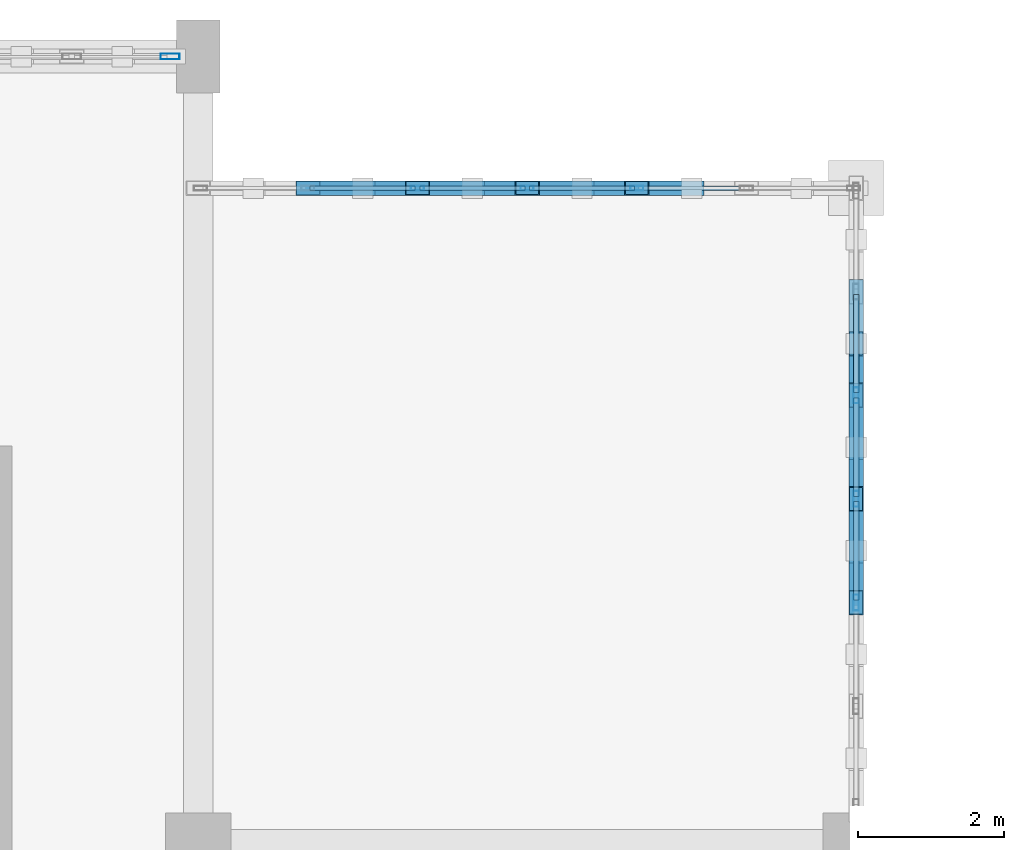
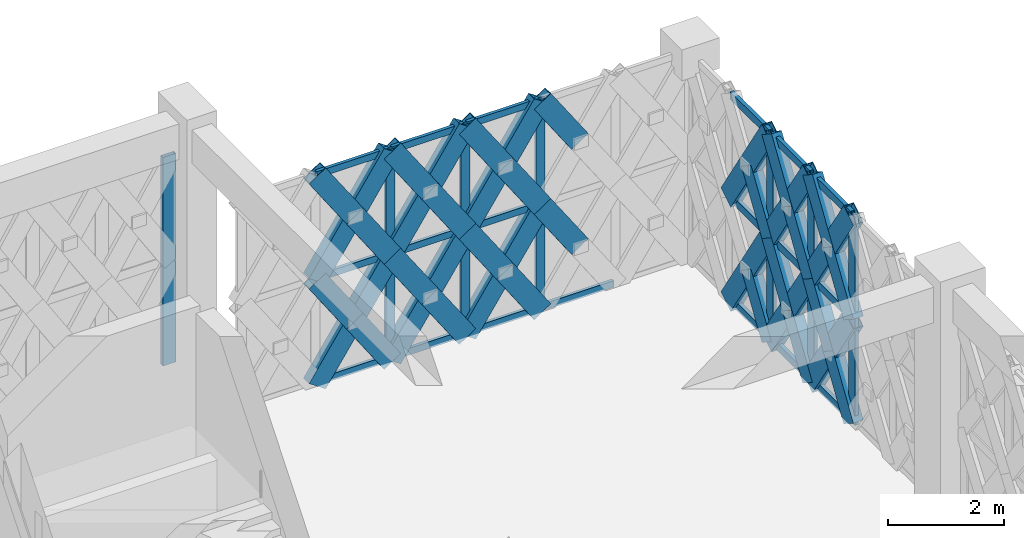
# One storey, part 93 of 155: 62 members, 3 elements without a shape of their own.
"""IFC4 building model written with IfcOpenShell, lengths in metres."""

from ifc_helpers import new_model, si_unit, direction, frame, origin, origin_2d, place, context, subcontext, project, spatial, hollow_rectangle, extrude, material, material_profile, profile_set, type_object, element, aggregate, save


model = new_model("IFC4")

# Units and contexts
model_context = context("Model", 3, precision=1e-05, world=origin(), true_north=direction((0.0, 1.0)))
body_context = subcontext(model_context, "Body", "Model", "MODEL_VIEW")
ifc_project = project(units=[si_unit("LENGTHUNIT", "METRE"), si_unit("AREAUNIT", "SQUARE_METRE"), si_unit("VOLUMEUNIT", "CUBIC_METRE"), si_unit("PLANEANGLEUNIT", "RADIAN"), si_unit("MASSUNIT", "GRAM", prefix="KILO")], contexts=[model_context])

# Site, building, storey
site_placement = place(None, origin())
site = spatial("IfcSite", under=ifc_project, at=site_placement, CompositionType="ELEMENT")
building_placement = place(site_placement, origin())
building = spatial("IfcBuilding", under=site, at=building_placement, Name="Haizhuo Lancet Aquarium", CompositionType="ELEMENT")
storey_placement = place(building_placement, frame((0.0, 0.0, 10.800048828125)))
storey = spatial("IfcBuildingStorey", under=building, at=storey_placement, Name="L02", CompositionType="ELEMENT", Elevation=10.800048828125)

# Curtain wall, members
ifc_material_1 = material(Name="Aluminium 6063-T6", Category="aluminium")
curtain_wall_type_1 = type_object("IfcCurtainWallType", Name="CWD-9000x4440", PredefinedType="NOTDEFINED", material=ifc_material_1)
curtain_wall_1_placement = place(storey_placement, origin())
curtain_wall_1 = element("IfcCurtainWall", 1, at=curtain_wall_1_placement, inside=storey, type_object=curtain_wall_type_1, Name="L02 curtain wall CW-V5-L02-151", PredefinedType="NOTDEFINED")
ifc_material_profile_1 = material_profile(ifc_material_1, hollow_rectangle(XDim=0.06494140625, YDim=0.179931640625, WallThickness=0.00390625, at=origin_2d()), Name="ALU-M 65x180x4")
ifc_profile_set_1 = profile_set([ifc_material_profile_1], Name="Aluminium 6063-T6")
member_type_1 = type_object("IfcMemberType", Name="CW-MUL-1", PredefinedType="MULLION", material=ifc_profile_set_1)
member_1_placement = place(storey_placement, frame((21.0, 54.0, 0.0), z_axis=(0.0, 0.0, 1.0), x_axis=(0.0, 1.0, 0.0)))
member_1 = element("IfcMember", 2, at=member_1_placement, type_object=member_type_1, Name="CWD-90x44 mullion 3", PredefinedType="MULLION", context=body_context, shape_type="SweptSolid", body=[
    extrude(hollow_rectangle(XDim=0.06494140625, YDim=0.179931640625, WallThickness=0.00390625, at=origin_2d()), origin(), (0.0, 0.0, 1.0), 4.445068359375),
])
member_2_placement = place(storey_placement, frame((22.5, 54.0, 0.0), z_axis=(0.0, 0.0, 1.0), x_axis=(0.0, 1.0, 0.0)))
member_2 = element("IfcMember", 3, at=member_2_placement, type_object=member_type_1, Name="CWD-90x44 mullion 4", PredefinedType="MULLION", context=body_context, shape_type="SweptSolid", body=[
    extrude(hollow_rectangle(XDim=0.06494140625, YDim=0.179931640625, WallThickness=0.00390625, at=origin_2d()), origin(), (0.0, 0.0, 1.0), 4.445068359375),
])
member_3_placement = place(storey_placement, frame((24.0, 54.0, 0.0), z_axis=(0.0, 0.0, 1.0), x_axis=(0.0, 1.0, 0.0)))
member_3 = element("IfcMember", 4, at=member_3_placement, type_object=member_type_1, Name="CWD-90x44 mullion 5", PredefinedType="MULLION", context=body_context, shape_type="SweptSolid", body=[
    extrude(hollow_rectangle(XDim=0.06494140625, YDim=0.179931640625, WallThickness=0.00390625, at=origin_2d()), origin(), (0.0, 0.0, 1.0), 4.445068359375),
])

curtain_wall_type_2 = type_object("IfcCurtainWallType", Name="CWD-8510x4390", PredefinedType="NOTDEFINED", material=ifc_material_1)
curtain_wall_2_placement = place(storey_placement, origin())
curtain_wall_2 = element("IfcCurtainWall", 5, at=curtain_wall_2_placement, inside=storey, type_object=curtain_wall_type_2, Name="L02 curtain wall CW-V5-L02-152", PredefinedType="NOTDEFINED")
ifc_material_profile_2 = material_profile(ifc_material_1, hollow_rectangle(XDim=0.074951171875, YDim=0.219970703125, WallThickness=0.0048828125, at=origin_2d()), Name="ALU-M 75x220x5")
ifc_profile_set_2 = profile_set([ifc_material_profile_2], Name="Aluminium 6063-T6")
member_type_2 = type_object("IfcMemberType", Name="CW-MUL-2", PredefinedType="MULLION", material=ifc_profile_set_2)
member_4_placement = place(storey_placement, frame((27.0, 51.1650390625, 0.0), z_axis=(0.0, 0.0, 1.0), x_axis=(1.0, 0.0, 0.0)))
member_4 = element("IfcMember", 6, at=member_4_placement, type_object=member_type_2, Name="CWD-85x43 mullion 3", PredefinedType="MULLION", context=body_context, shape_type="SweptSolid", body=[
    extrude(hollow_rectangle(XDim=0.074951171875, YDim=0.219970703125, WallThickness=0.0048828125, at=origin_2d()), origin(), (0.0, 0.0, 1.0), 4.39501953125),
])
member_5_placement = place(storey_placement, frame((27.0, 49.748046875, 0.0), z_axis=(0.0, 0.0, 1.0), x_axis=(1.0, 0.0, 0.0)))
member_5 = element("IfcMember", 7, at=member_5_placement, type_object=member_type_2, Name="CWD-85x43 mullion 4", PredefinedType="MULLION", context=body_context, shape_type="SweptSolid", body=[
    extrude(hollow_rectangle(XDim=0.074951171875, YDim=0.219970703125, WallThickness=0.0048828125, at=origin_2d()), origin(), (0.0, 0.0, 1.0), 4.39501953125),
])
member_6_placement = place(storey_placement, frame((27.0, 48.330078125, 0.0), z_axis=(0.0, 0.0, 1.0), x_axis=(1.0, 0.0, 0.0)))
member_6 = element("IfcMember", 8, at=member_6_placement, type_object=member_type_2, Name="CWD-85x43 mullion 5", PredefinedType="MULLION", context=body_context, shape_type="SweptSolid", body=[
    extrude(hollow_rectangle(XDim=0.074951171875, YDim=0.219970703125, WallThickness=0.0048828125, at=origin_2d()), origin(), (0.0, 0.0, 1.0), 4.39501953125),
])

# Curtain wall, member
curtain_wall_type_3 = type_object("IfcCurtainWallType", Name="CWD-8310x4410", PredefinedType="NOTDEFINED", material=ifc_material_1)
curtain_wall_3_placement = place(storey_placement, origin())
curtain_wall_3 = element("IfcCurtainWall", 9, at=curtain_wall_3_placement, inside=storey, type_object=curtain_wall_type_3, Name="L02 curtain wall CW-V5-L02-150", PredefinedType="NOTDEFINED")
ifc_material_profile_3 = material_profile(ifc_material_1, hollow_rectangle(XDim=0.080078125, YDim=0.260009765625, WallThickness=0.0048828125, at=origin_2d()), Name="ALU-M 80x260x5")
ifc_profile_set_3 = profile_set([ifc_material_profile_3], Name="Aluminium 6063-T6")
member_type_3 = type_object("IfcMemberType", Name="CW-MUL-3", PredefinedType="MULLION", material=ifc_profile_set_3)
member_7_placement = place(storey_placement, frame((17.614990234375, 55.800048828125, 0.0), z_axis=(0.0, 0.0, 1.0), x_axis=(0.0, 1.0, 0.0)))
member_7 = element("IfcMember", 10, at=member_7_placement, type_object=member_type_3, Name="CWD-83x44 mullion 7", PredefinedType="MULLION", context=body_context, shape_type="SweptSolid", body=[
    extrude(hollow_rectangle(XDim=0.080078125, YDim=0.260009765625, WallThickness=0.0048828125, at=origin_2d()), origin(), (0.0, 0.0, 1.0), 4.409912109375),
])
aggregate(curtain_wall_3, [member_7])

# Member
ifc_material_profile_4 = material_profile(ifc_material_1, hollow_rectangle(XDim=0.06494140625, YDim=0.139892578125, WallThickness=0.00390625, at=origin_2d()), Name="ALU-T 65x140x4")
ifc_profile_set_4 = profile_set([ifc_material_profile_4], Name="Aluminium 6063-T6")
member_type_4 = type_object("IfcMemberType", Name="CW-TRN-1", PredefinedType="NOTDEFINED", material=ifc_profile_set_4)
member_8_placement = place(storey_placement, frame((19.531982421875, 54.0, 0.032958984375), z_axis=(1.0, 0.0, 0.0), x_axis=(0.0, 1.0, 0.0)))
member_8 = element("IfcMember", 11, at=member_8_placement, type_object=member_type_4, Name="CWD-90x44 transom 2.1", ObjectType="TRANSOM", PredefinedType="USERDEFINED", context=body_context, shape_type="SweptSolid", body=[
    extrude(hollow_rectangle(XDim=0.06494140625, YDim=0.139892578125, WallThickness=0.00390625, at=origin_2d()), origin(), (0.0, 0.0, 1.0), 1.43603515625),
])

member_9_placement = place(storey_placement, frame((19.531982421875, 54.0, 2.222900390625), z_axis=(1.0, 0.0, 0.0), x_axis=(0.0, 1.0, 0.0)))
member_9 = element("IfcMember", 12, at=member_9_placement, type_object=member_type_4, Name="CWD-90x44 transom 2.2", ObjectType="TRANSOM", PredefinedType="USERDEFINED", context=body_context, shape_type="SweptSolid", body=[
    extrude(hollow_rectangle(XDim=0.06494140625, YDim=0.139892578125, WallThickness=0.00390625, at=origin_2d()), origin(), (0.0, 0.0, 1.0), 1.43603515625),
])

member_10_placement = place(storey_placement, frame((19.531982421875, 54.0, 4.411865234375), z_axis=(1.0, 0.0, 0.0), x_axis=(0.0, 1.0, 0.0)))
member_10 = element("IfcMember", 13, at=member_10_placement, type_object=member_type_4, Name="CWD-90x44 transom 2.3", ObjectType="TRANSOM", PredefinedType="USERDEFINED", context=body_context, shape_type="SweptSolid", body=[
    extrude(hollow_rectangle(XDim=0.06494140625, YDim=0.139892578125, WallThickness=0.00390625, at=origin_2d()), origin(), (0.0, 0.0, 1.0), 1.43603515625),
])

member_11_placement = place(storey_placement, frame((21.031982421875, 54.0, 0.032958984375), z_axis=(1.0, 0.0, 0.0), x_axis=(0.0, 1.0, 0.0)))
member_11 = element("IfcMember", 14, at=member_11_placement, type_object=member_type_4, Name="CWD-90x44 transom 3.1", ObjectType="TRANSOM", PredefinedType="USERDEFINED", context=body_context, shape_type="SweptSolid", body=[
    extrude(hollow_rectangle(XDim=0.06494140625, YDim=0.139892578125, WallThickness=0.00390625, at=origin_2d()), origin(), (0.0, 0.0, 1.0), 1.43603515625),
])

member_12_placement = place(storey_placement, frame((21.031982421875, 54.0, 2.222900390625), z_axis=(1.0, 0.0, 0.0), x_axis=(0.0, 1.0, 0.0)))
member_12 = element("IfcMember", 15, at=member_12_placement, type_object=member_type_4, Name="CWD-90x44 transom 3.2", ObjectType="TRANSOM", PredefinedType="USERDEFINED", context=body_context, shape_type="SweptSolid", body=[
    extrude(hollow_rectangle(XDim=0.06494140625, YDim=0.139892578125, WallThickness=0.00390625, at=origin_2d()), origin(), (0.0, 0.0, 1.0), 1.43603515625),
])

member_13_placement = place(storey_placement, frame((21.031982421875, 54.0, 4.411865234375), z_axis=(1.0, 0.0, 0.0), x_axis=(0.0, 1.0, 0.0)))
member_13 = element("IfcMember", 16, at=member_13_placement, type_object=member_type_4, Name="CWD-90x44 transom 3.3", ObjectType="TRANSOM", PredefinedType="USERDEFINED", context=body_context, shape_type="SweptSolid", body=[
    extrude(hollow_rectangle(XDim=0.06494140625, YDim=0.139892578125, WallThickness=0.00390625, at=origin_2d()), origin(), (0.0, 0.0, 1.0), 1.43603515625),
])

member_14_placement = place(storey_placement, frame((22.531982421875, 54.0, 0.032958984375), z_axis=(1.0, 0.0, 0.0), x_axis=(0.0, 1.0, 0.0)))
member_14 = element("IfcMember", 17, at=member_14_placement, type_object=member_type_4, Name="CWD-90x44 transom 4.1", ObjectType="TRANSOM", PredefinedType="USERDEFINED", context=body_context, shape_type="SweptSolid", body=[
    extrude(hollow_rectangle(XDim=0.06494140625, YDim=0.139892578125, WallThickness=0.00390625, at=origin_2d()), origin(), (0.0, 0.0, 1.0), 1.43603515625),
])

member_15_placement = place(storey_placement, frame((22.531982421875, 54.0, 2.222900390625), z_axis=(1.0, 0.0, 0.0), x_axis=(0.0, 1.0, 0.0)))
member_15 = element("IfcMember", 18, at=member_15_placement, type_object=member_type_4, Name="CWD-90x44 transom 4.2", ObjectType="TRANSOM", PredefinedType="USERDEFINED", context=body_context, shape_type="SweptSolid", body=[
    extrude(hollow_rectangle(XDim=0.06494140625, YDim=0.139892578125, WallThickness=0.00390625, at=origin_2d()), origin(), (0.0, 0.0, 1.0), 1.43603515625),
])

member_16_placement = place(storey_placement, frame((22.531982421875, 54.0, 4.411865234375), z_axis=(1.0, 0.0, 0.0), x_axis=(0.0, 1.0, 0.0)))
member_16 = element("IfcMember", 19, at=member_16_placement, type_object=member_type_4, Name="CWD-90x44 transom 4.3", ObjectType="TRANSOM", PredefinedType="USERDEFINED", context=body_context, shape_type="SweptSolid", body=[
    extrude(hollow_rectangle(XDim=0.06494140625, YDim=0.139892578125, WallThickness=0.00390625, at=origin_2d()), origin(), (0.0, 0.0, 1.0), 1.43603515625),
])

member_17_placement = place(storey_placement, frame((24.031982421875, 54.0, 0.032958984375), z_axis=(1.0, 0.0, 0.0), x_axis=(0.0, 1.0, 0.0)))
member_17 = element("IfcMember", 20, at=member_17_placement, type_object=member_type_4, Name="CWD-90x44 transom 5.1", ObjectType="TRANSOM", PredefinedType="USERDEFINED", context=body_context, shape_type="SweptSolid", body=[
    extrude(hollow_rectangle(XDim=0.06494140625, YDim=0.139892578125, WallThickness=0.00390625, at=origin_2d()), origin(), (0.0, 0.0, 1.0), 1.43603515625),
])

aggregate(curtain_wall_1, [member_1, member_2, member_3, member_8, member_9, member_10, member_11, member_12, member_13, member_14, member_15, member_16, member_17])

ifc_material_profile_5 = material_profile(ifc_material_1, hollow_rectangle(XDim=0.074951171875, YDim=0.159912109375, WallThickness=0.00390625, at=origin_2d()), Name="ALU-T 75x160x4")
ifc_profile_set_5 = profile_set([ifc_material_profile_5], Name="Aluminium 6063-T6")
member_type_5 = type_object("IfcMemberType", Name="CW-TRN-2", PredefinedType="NOTDEFINED", material=ifc_profile_set_5)
member_18_placement = place(storey_placement, frame((27.0, 52.544921875, 0.037841796875), z_axis=(0.0, -1.0, 0.0), x_axis=(1.0, 0.0, 0.0)))
member_18 = element("IfcMember", 21, at=member_18_placement, type_object=member_type_5, Name="CWD-85x43 transom 2.1", ObjectType="TRANSOM", PredefinedType="USERDEFINED", context=body_context, shape_type="SweptSolid", body=[
    extrude(hollow_rectangle(XDim=0.074951171875, YDim=0.159912109375, WallThickness=0.00390625, at=origin_2d()), origin(), (0.0, 0.0, 1.0), 1.342041015625),
])

member_19_placement = place(storey_placement, frame((27.0, 52.544921875, 2.197998046875), z_axis=(0.0, -1.0, 0.0), x_axis=(1.0, 0.0, 0.0)))
member_19 = element("IfcMember", 22, at=member_19_placement, type_object=member_type_5, Name="CWD-85x43 transom 2.2", ObjectType="TRANSOM", PredefinedType="USERDEFINED", context=body_context, shape_type="SweptSolid", body=[
    extrude(hollow_rectangle(XDim=0.074951171875, YDim=0.159912109375, WallThickness=0.00390625, at=origin_2d()), origin(), (0.0, 0.0, 1.0), 1.342041015625),
])

member_20_placement = place(storey_placement, frame((27.0, 52.544921875, 4.35791015625), z_axis=(0.0, -1.0, 0.0), x_axis=(1.0, 0.0, 0.0)))
member_20 = element("IfcMember", 23, at=member_20_placement, type_object=member_type_5, Name="CWD-85x43 transom 2.3", ObjectType="TRANSOM", PredefinedType="USERDEFINED", context=body_context, shape_type="SweptSolid", body=[
    extrude(hollow_rectangle(XDim=0.074951171875, YDim=0.159912109375, WallThickness=0.00390625, at=origin_2d()), origin(), (0.0, 0.0, 1.0), 1.342041015625),
])

member_21_placement = place(storey_placement, frame((27.0, 51.126953125, 0.037841796875), z_axis=(0.0, -1.0, 0.0), x_axis=(1.0, 0.0, 0.0)))
member_21 = element("IfcMember", 24, at=member_21_placement, type_object=member_type_5, Name="CWD-85x43 transom 3.1", ObjectType="TRANSOM", PredefinedType="USERDEFINED", context=body_context, shape_type="SweptSolid", body=[
    extrude(hollow_rectangle(XDim=0.074951171875, YDim=0.159912109375, WallThickness=0.00390625, at=origin_2d()), origin(), (0.0, 0.0, 1.0), 1.342041015625),
])

member_22_placement = place(storey_placement, frame((27.0, 51.126953125, 2.197998046875), z_axis=(0.0, -1.0, 0.0), x_axis=(1.0, 0.0, 0.0)))
member_22 = element("IfcMember", 25, at=member_22_placement, type_object=member_type_5, Name="CWD-85x43 transom 3.2", ObjectType="TRANSOM", PredefinedType="USERDEFINED", context=body_context, shape_type="SweptSolid", body=[
    extrude(hollow_rectangle(XDim=0.074951171875, YDim=0.159912109375, WallThickness=0.00390625, at=origin_2d()), origin(), (0.0, 0.0, 1.0), 1.342041015625),
])

member_23_placement = place(storey_placement, frame((27.0, 51.126953125, 4.35791015625), z_axis=(0.0, -1.0, 0.0), x_axis=(1.0, 0.0, 0.0)))
member_23 = element("IfcMember", 26, at=member_23_placement, type_object=member_type_5, Name="CWD-85x43 transom 3.3", ObjectType="TRANSOM", PredefinedType="USERDEFINED", context=body_context, shape_type="SweptSolid", body=[
    extrude(hollow_rectangle(XDim=0.074951171875, YDim=0.159912109375, WallThickness=0.00390625, at=origin_2d()), origin(), (0.0, 0.0, 1.0), 1.342041015625),
])

member_24_placement = place(storey_placement, frame((27.0, 49.7099609375, 0.037841796875), z_axis=(0.0, -1.0, 0.0), x_axis=(1.0, 0.0, 0.0)))
member_24 = element("IfcMember", 27, at=member_24_placement, type_object=member_type_5, Name="CWD-85x43 transom 4.1", ObjectType="TRANSOM", PredefinedType="USERDEFINED", context=body_context, shape_type="SweptSolid", body=[
    extrude(hollow_rectangle(XDim=0.074951171875, YDim=0.159912109375, WallThickness=0.00390625, at=origin_2d()), origin(), (0.0, 0.0, 1.0), 1.343017578125),
])

member_25_placement = place(storey_placement, frame((27.0, 49.7099609375, 2.197998046875), z_axis=(0.0, -1.0, 0.0), x_axis=(1.0, 0.0, 0.0)))
member_25 = element("IfcMember", 28, at=member_25_placement, type_object=member_type_5, Name="CWD-85x43 transom 4.2", ObjectType="TRANSOM", PredefinedType="USERDEFINED", context=body_context, shape_type="SweptSolid", body=[
    extrude(hollow_rectangle(XDim=0.074951171875, YDim=0.159912109375, WallThickness=0.00390625, at=origin_2d()), origin(), (0.0, 0.0, 1.0), 1.343017578125),
])

member_26_placement = place(storey_placement, frame((27.0, 49.7099609375, 4.35791015625), z_axis=(0.0, -1.0, 0.0), x_axis=(1.0, 0.0, 0.0)))
member_26 = element("IfcMember", 29, at=member_26_placement, type_object=member_type_5, Name="CWD-85x43 transom 4.3", ObjectType="TRANSOM", PredefinedType="USERDEFINED", context=body_context, shape_type="SweptSolid", body=[
    extrude(hollow_rectangle(XDim=0.074951171875, YDim=0.159912109375, WallThickness=0.00390625, at=origin_2d()), origin(), (0.0, 0.0, 1.0), 1.343017578125),
])

aggregate(curtain_wall_2, [member_4, member_5, member_6, member_18, member_19, member_20, member_21, member_22, member_23, member_24, member_25, member_26])

# Members
ifc_material_2 = material(Name="Steel S355", Category="steel")
ifc_material_profile_6 = material_profile(ifc_material_2, hollow_rectangle(XDim=0.199951171875, YDim=0.39990234375, WallThickness=0.011962890625, at=origin_2d()), Name="RHS 200x400x12")
ifc_profile_set_6 = profile_set([ifc_material_profile_6], Name="Steel S355")
member_type_6 = type_object("IfcMemberType", Name="MEM-LB-RHS200x400", PredefinedType="BRACE", material=ifc_profile_set_6)
member_27_placement = place(storey_placement, frame((19.5, 54.0, 0.0), z_axis=(0.559355578967, 0.0, 0.828927823323), x_axis=(0.0, 1.0, 0.0)))
element("IfcMember", 30, at=member_27_placement, inside=storey, type_object=member_type_6, Name="Gothic lancet continuous diagonal brace CW-V5-L02-151 3A", PredefinedType="BRACE", context=body_context, shape_type="SweptSolid", body=[
    extrude(hollow_rectangle(XDim=0.199951171875, YDim=0.39990234375, WallThickness=0.011962890625, at=origin_2d()), origin(), (0.0, 0.0, 1.0), 2.681640625),
])
member_28_placement = place(storey_placement, frame((21.0, 54.0, 0.0), z_axis=(-0.559144577779, 0.0, 0.829070166596), x_axis=(0.0, -1.0, 0.0)))
element("IfcMember", 31, at=member_28_placement, inside=storey, type_object=member_type_6, Name="Gothic lancet split diagonal brace CW-V5-L02-151 3B1", PredefinedType="BRACE", context=body_context, shape_type="SweptSolid", body=[
    extrude(hollow_rectangle(XDim=0.199951171875, YDim=0.39990234375, WallThickness=0.011962890625, at=origin_2d()), origin(), (0.0, 0.0, 1.0), 1.34130859375),
])
member_29_placement = place(storey_placement, frame((20.25, 54.0, 1.112060546875), z_axis=(-0.559566703172, 0.0, 0.828785318826), x_axis=(0.0, -1.0, 0.0)))
element("IfcMember", 32, at=member_29_placement, inside=storey, type_object=member_type_6, Name="Gothic lancet split diagonal brace CW-V5-L02-151 3B2", PredefinedType="BRACE", context=body_context, shape_type="SweptSolid", body=[
    extrude(hollow_rectangle(XDim=0.199951171875, YDim=0.39990234375, WallThickness=0.011962890625, at=origin_2d()), origin(), (0.0, 0.0, 1.0), 1.34033203125),
])
member_30_placement = place(storey_placement, frame((19.5, 54.0, 2.222900390625), z_axis=(0.559482238724, 0.0, 0.828842339985), x_axis=(0.0, 1.0, 0.0)))
element("IfcMember", 33, at=member_30_placement, inside=storey, type_object=member_type_6, Name="Gothic lancet continuous diagonal brace CW-V5-L02-151 4A", PredefinedType="BRACE", context=body_context, shape_type="SweptSolid", body=[
    extrude(hollow_rectangle(XDim=0.199951171875, YDim=0.39990234375, WallThickness=0.011962890625, at=origin_2d()), origin(), (0.0, 0.0, 1.0), 2.68115234375),
])
for number, where, z_axis, x_axis, name in (
    (34, (21.0, 54.0, 2.222900390625), (-0.559482238724, 0.0, 0.828842339985), (0.0, -1.0, 0.0), "Gothic lancet split diagonal brace CW-V5-L02-151 4B1"),
    (35, (20.25, 54.0, 3.333984375), (-0.559482238724, 0.0, 0.828842339985), (0.0, -1.0, 0.0), "Gothic lancet split diagonal brace CW-V5-L02-151 4B2"),
):
    element("IfcMember", number, at=place(storey_placement, frame(where, z_axis=z_axis, x_axis=x_axis)), inside=storey, type_object=member_type_6, Name=name, PredefinedType="BRACE", context=body_context, shape_type="SweptSolid", body=[
        extrude(hollow_rectangle(XDim=0.199951171875, YDim=0.39990234375, WallThickness=0.011962890625, at=origin_2d()), origin(), (0.0, 0.0, 1.0), 1.340576171875),
    ])
member_31_placement = place(storey_placement, frame((21.0, 54.0, 0.0), z_axis=(0.559355578967, 0.0, 0.828927823323), x_axis=(0.0, 1.0, 0.0)))
element("IfcMember", 36, at=member_31_placement, inside=storey, type_object=member_type_6, Name="Gothic lancet continuous diagonal brace CW-V5-L02-151 5A", PredefinedType="BRACE", context=body_context, shape_type="SweptSolid", body=[
    extrude(hollow_rectangle(XDim=0.199951171875, YDim=0.39990234375, WallThickness=0.011962890625, at=origin_2d()), origin(), (0.0, 0.0, 1.0), 2.681640625),
])
member_32_placement = place(storey_placement, frame((22.5, 54.0, 0.0), z_axis=(-0.559144577779, 0.0, 0.829070166596), x_axis=(0.0, -1.0, 0.0)))
element("IfcMember", 37, at=member_32_placement, inside=storey, type_object=member_type_6, Name="Gothic lancet split diagonal brace CW-V5-L02-151 5B1", PredefinedType="BRACE", context=body_context, shape_type="SweptSolid", body=[
    extrude(hollow_rectangle(XDim=0.199951171875, YDim=0.39990234375, WallThickness=0.011962890625, at=origin_2d()), origin(), (0.0, 0.0, 1.0), 1.34130859375),
])
member_33_placement = place(storey_placement, frame((21.75, 54.0, 1.112060546875), z_axis=(-0.559566703172, 0.0, 0.828785318826), x_axis=(0.0, -1.0, 0.0)))
element("IfcMember", 38, at=member_33_placement, inside=storey, type_object=member_type_6, Name="Gothic lancet split diagonal brace CW-V5-L02-151 5B2", PredefinedType="BRACE", context=body_context, shape_type="SweptSolid", body=[
    extrude(hollow_rectangle(XDim=0.199951171875, YDim=0.39990234375, WallThickness=0.011962890625, at=origin_2d()), origin(), (0.0, 0.0, 1.0), 1.34033203125),
])
member_34_placement = place(storey_placement, frame((21.0, 54.0, 2.222900390625), z_axis=(0.559482238724, 0.0, 0.828842339985), x_axis=(0.0, 1.0, 0.0)))
element("IfcMember", 39, at=member_34_placement, inside=storey, type_object=member_type_6, Name="Gothic lancet continuous diagonal brace CW-V5-L02-151 6A", PredefinedType="BRACE", context=body_context, shape_type="SweptSolid", body=[
    extrude(hollow_rectangle(XDim=0.199951171875, YDim=0.39990234375, WallThickness=0.011962890625, at=origin_2d()), origin(), (0.0, 0.0, 1.0), 2.68115234375),
])
for number, where, z_axis, x_axis, name in (
    (40, (22.5, 54.0, 2.222900390625), (-0.559482238724, 0.0, 0.828842339985), (0.0, -1.0, 0.0), "Gothic lancet split diagonal brace CW-V5-L02-151 6B1"),
    (41, (21.75, 54.0, 3.333984375), (-0.559482238724, 0.0, 0.828842339985), (0.0, -1.0, 0.0), "Gothic lancet split diagonal brace CW-V5-L02-151 6B2"),
):
    element("IfcMember", number, at=place(storey_placement, frame(where, z_axis=z_axis, x_axis=x_axis)), inside=storey, type_object=member_type_6, Name=name, PredefinedType="BRACE", context=body_context, shape_type="SweptSolid", body=[
        extrude(hollow_rectangle(XDim=0.199951171875, YDim=0.39990234375, WallThickness=0.011962890625, at=origin_2d()), origin(), (0.0, 0.0, 1.0), 1.340576171875),
    ])
member_35_placement = place(storey_placement, frame((22.5, 54.0, 0.0), z_axis=(0.559355578967, 0.0, 0.828927823323), x_axis=(0.0, 1.0, 0.0)))
element("IfcMember", 42, at=member_35_placement, inside=storey, type_object=member_type_6, Name="Gothic lancet continuous diagonal brace CW-V5-L02-151 7A", PredefinedType="BRACE", context=body_context, shape_type="SweptSolid", body=[
    extrude(hollow_rectangle(XDim=0.199951171875, YDim=0.39990234375, WallThickness=0.011962890625, at=origin_2d()), origin(), (0.0, 0.0, 1.0), 2.681640625),
])
member_36_placement = place(storey_placement, frame((24.0, 54.0, 0.0), z_axis=(-0.559144577779, 0.0, 0.829070166596), x_axis=(0.0, -1.0, 0.0)))
element("IfcMember", 43, at=member_36_placement, inside=storey, type_object=member_type_6, Name="Gothic lancet split diagonal brace CW-V5-L02-151 7B1", PredefinedType="BRACE", context=body_context, shape_type="SweptSolid", body=[
    extrude(hollow_rectangle(XDim=0.199951171875, YDim=0.39990234375, WallThickness=0.011962890625, at=origin_2d()), origin(), (0.0, 0.0, 1.0), 1.34130859375),
])
member_37_placement = place(storey_placement, frame((23.25, 54.0, 1.112060546875), z_axis=(-0.559566703172, 0.0, 0.828785318826), x_axis=(0.0, -1.0, 0.0)))
element("IfcMember", 44, at=member_37_placement, inside=storey, type_object=member_type_6, Name="Gothic lancet split diagonal brace CW-V5-L02-151 7B2", PredefinedType="BRACE", context=body_context, shape_type="SweptSolid", body=[
    extrude(hollow_rectangle(XDim=0.199951171875, YDim=0.39990234375, WallThickness=0.011962890625, at=origin_2d()), origin(), (0.0, 0.0, 1.0), 1.34033203125),
])
member_38_placement = place(storey_placement, frame((22.5, 54.0, 2.222900390625), z_axis=(0.559482238724, 0.0, 0.828842339985), x_axis=(0.0, 1.0, 0.0)))
element("IfcMember", 45, at=member_38_placement, inside=storey, type_object=member_type_6, Name="Gothic lancet continuous diagonal brace CW-V5-L02-151 8A", PredefinedType="BRACE", context=body_context, shape_type="SweptSolid", body=[
    extrude(hollow_rectangle(XDim=0.199951171875, YDim=0.39990234375, WallThickness=0.011962890625, at=origin_2d()), origin(), (0.0, 0.0, 1.0), 2.68115234375),
])
for number, where, z_axis, x_axis, name in (
    (46, (24.0, 54.0, 2.222900390625), (-0.559482238724, 0.0, 0.828842339985), (0.0, -1.0, 0.0), "Gothic lancet split diagonal brace CW-V5-L02-151 8B1"),
    (47, (23.25, 54.0, 3.333984375), (-0.559482238724, 0.0, 0.828842339985), (0.0, -1.0, 0.0), "Gothic lancet split diagonal brace CW-V5-L02-151 8B2"),
):
    element("IfcMember", number, at=place(storey_placement, frame(where, z_axis=z_axis, x_axis=x_axis)), inside=storey, type_object=member_type_6, Name=name, PredefinedType="BRACE", context=body_context, shape_type="SweptSolid", body=[
        extrude(hollow_rectangle(XDim=0.199951171875, YDim=0.39990234375, WallThickness=0.011962890625, at=origin_2d()), origin(), (0.0, 0.0, 1.0), 1.340576171875),
    ])
member_39_placement = place(storey_placement, frame((24.75, 54.0, 1.112060546875), z_axis=(-0.559566703172, 0.0, 0.828785318826), x_axis=(0.0, -1.0, 0.0)))
element("IfcMember", 48, at=member_39_placement, inside=storey, type_object=member_type_6, Name="Gothic lancet split diagonal brace CW-V5-L02-151 9B2", PredefinedType="BRACE", context=body_context, shape_type="SweptSolid", body=[
    extrude(hollow_rectangle(XDim=0.199951171875, YDim=0.39990234375, WallThickness=0.011962890625, at=origin_2d()), origin(), (0.0, 0.0, 1.0), 1.34033203125),
])
member_40_placement = place(storey_placement, frame((24.75, 54.0, 3.333984375), z_axis=(-0.559482238724, 0.0, 0.828842339985), x_axis=(0.0, -1.0, 0.0)))
element("IfcMember", 49, at=member_40_placement, inside=storey, type_object=member_type_6, Name="Gothic lancet split diagonal brace CW-V5-L02-151 10B2", PredefinedType="BRACE", context=body_context, shape_type="SweptSolid", body=[
    extrude(hollow_rectangle(XDim=0.199951171875, YDim=0.39990234375, WallThickness=0.011962890625, at=origin_2d()), origin(), (0.0, 0.0, 1.0), 1.340576171875),
])
member_41_placement = place(storey_placement, frame((27.0, 52.58203125, 0.0), z_axis=(0.0, -0.541837647065, 0.840483173075), x_axis=(1.0, 0.0, 0.0)))
element("IfcMember", 50, at=member_41_placement, inside=storey, type_object=member_type_6, Name="Gothic lancet continuous diagonal brace CW-V5-L02-152 3A", PredefinedType="BRACE", context=body_context, shape_type="SweptSolid", body=[
    extrude(hollow_rectangle(XDim=0.199951171875, YDim=0.39990234375, WallThickness=0.011962890625, at=origin_2d()), origin(), (0.0, 0.0, 1.0), 2.615234375),
])
member_42_placement = place(storey_placement, frame((27.0, 51.1650390625, 0.0), z_axis=(0.0, 0.541616290016, 0.840625834952), x_axis=(-1.0, 0.0, 0.0)))
element("IfcMember", 51, at=member_42_placement, inside=storey, type_object=member_type_6, Name="Gothic lancet split diagonal brace CW-V5-L02-152 3B1", PredefinedType="BRACE", context=body_context, shape_type="SweptSolid", body=[
    extrude(hollow_rectangle(XDim=0.199951171875, YDim=0.39990234375, WallThickness=0.011962890625, at=origin_2d()), origin(), (0.0, 0.0, 1.0), 1.30712890625),
])
member_43_placement = place(storey_placement, frame((27.0, 52.58203125, 2.197998046875), z_axis=(0.0, -0.542007748489, 0.840373488741), x_axis=(1.0, 0.0, 0.0)))
element("IfcMember", 52, at=member_43_placement, inside=storey, type_object=member_type_6, Name="Gothic lancet continuous diagonal brace CW-V5-L02-152 4A", PredefinedType="BRACE", context=body_context, shape_type="SweptSolid", body=[
    extrude(hollow_rectangle(XDim=0.199951171875, YDim=0.39990234375, WallThickness=0.011962890625, at=origin_2d()), origin(), (0.0, 0.0, 1.0), 2.6142578125),
])
member_44_placement = place(storey_placement, frame((27.0, 51.1650390625, 2.197998046875), z_axis=(0.0, 0.541956591857, 0.840406480545), x_axis=(-1.0, 0.0, 0.0)))
element("IfcMember", 53, at=member_44_placement, inside=storey, type_object=member_type_6, Name="Gothic lancet split diagonal brace CW-V5-L02-152 4B1", PredefinedType="BRACE", context=body_context, shape_type="SweptSolid", body=[
    extrude(hollow_rectangle(XDim=0.199951171875, YDim=0.39990234375, WallThickness=0.011962890625, at=origin_2d()), origin(), (0.0, 0.0, 1.0), 1.306396484375),
])
member_45_placement = place(storey_placement, frame((27.0, 51.1650390625, 0.0), z_axis=(0.0, -0.541837647065, 0.840483173075), x_axis=(1.0, 0.0, 0.0)))
element("IfcMember", 54, at=member_45_placement, inside=storey, type_object=member_type_6, Name="Gothic lancet continuous diagonal brace CW-V5-L02-152 5A", PredefinedType="BRACE", context=body_context, shape_type="SweptSolid", body=[
    extrude(hollow_rectangle(XDim=0.199951171875, YDim=0.39990234375, WallThickness=0.011962890625, at=origin_2d()), origin(), (0.0, 0.0, 1.0), 2.615234375),
])
member_46_placement = place(storey_placement, frame((27.0, 49.748046875, 0.0), z_axis=(0.0, 0.541616290016, 0.840625834952), x_axis=(-1.0, 0.0, 0.0)))
element("IfcMember", 55, at=member_46_placement, inside=storey, type_object=member_type_6, Name="Gothic lancet split diagonal brace CW-V5-L02-152 5B1", PredefinedType="BRACE", context=body_context, shape_type="SweptSolid", body=[
    extrude(hollow_rectangle(XDim=0.199951171875, YDim=0.39990234375, WallThickness=0.011962890625, at=origin_2d()), origin(), (0.0, 0.0, 1.0), 1.30712890625),
])
member_47_placement = place(storey_placement, frame((27.0, 50.4560546875, 1.098876953125), z_axis=(0.0, 0.54205884229, 0.840340533055), x_axis=(-1.0, 0.0, 0.0)))
element("IfcMember", 56, at=member_47_placement, inside=storey, type_object=member_type_6, Name="Gothic lancet split diagonal brace CW-V5-L02-152 5B2", PredefinedType="BRACE", context=body_context, shape_type="SweptSolid", body=[
    extrude(hollow_rectangle(XDim=0.199951171875, YDim=0.39990234375, WallThickness=0.011962890625, at=origin_2d()), origin(), (0.0, 0.0, 1.0), 1.307861328125),
])
member_48_placement = place(storey_placement, frame((27.0, 51.1650390625, 2.197998046875), z_axis=(0.0, -0.542007748489, 0.840373488741), x_axis=(1.0, 0.0, 0.0)))
element("IfcMember", 57, at=member_48_placement, inside=storey, type_object=member_type_6, Name="Gothic lancet continuous diagonal brace CW-V5-L02-152 6A", PredefinedType="BRACE", context=body_context, shape_type="SweptSolid", body=[
    extrude(hollow_rectangle(XDim=0.199951171875, YDim=0.39990234375, WallThickness=0.011962890625, at=origin_2d()), origin(), (0.0, 0.0, 1.0), 2.6142578125),
])
member_49_placement = place(storey_placement, frame((27.0, 49.748046875, 2.197998046875), z_axis=(0.0, 0.541956591857, 0.840406480545), x_axis=(-1.0, 0.0, 0.0)))
element("IfcMember", 58, at=member_49_placement, inside=storey, type_object=member_type_6, Name="Gothic lancet split diagonal brace CW-V5-L02-152 6B1", PredefinedType="BRACE", context=body_context, shape_type="SweptSolid", body=[
    extrude(hollow_rectangle(XDim=0.199951171875, YDim=0.39990234375, WallThickness=0.011962890625, at=origin_2d()), origin(), (0.0, 0.0, 1.0), 1.306396484375),
])
member_50_placement = place(storey_placement, frame((27.0, 50.4560546875, 3.2958984375), z_axis=(0.0, 0.54205884229, 0.840340533055), x_axis=(-1.0, 0.0, 0.0)))
element("IfcMember", 59, at=member_50_placement, inside=storey, type_object=member_type_6, Name="Gothic lancet split diagonal brace CW-V5-L02-152 6B2", PredefinedType="BRACE", context=body_context, shape_type="SweptSolid", body=[
    extrude(hollow_rectangle(XDim=0.199951171875, YDim=0.39990234375, WallThickness=0.011962890625, at=origin_2d()), origin(), (0.0, 0.0, 1.0), 1.307861328125),
])
member_51_placement = place(storey_placement, frame((27.0, 49.748046875, 0.0), z_axis=(0.0, -0.542101357913, 0.840313106972), x_axis=(1.0, 0.0, 0.0)))
element("IfcMember", 60, at=member_51_placement, inside=storey, type_object=member_type_6, Name="Gothic lancet continuous diagonal brace CW-V5-L02-152 7A", PredefinedType="BRACE", context=body_context, shape_type="SweptSolid", body=[
    extrude(hollow_rectangle(XDim=0.199951171875, YDim=0.39990234375, WallThickness=0.011962890625, at=origin_2d()), origin(), (0.0, 0.0, 1.0), 2.61572265625),
])
for number, where, z_axis, x_axis, name in (
    (61, (27.0, 48.330078125, 0.0), (0.0, 0.542143878818, 0.840285674435), (-1.0, 0.0, 0.0), "Gothic lancet split diagonal brace CW-V5-L02-152 7B1"),
    (62, (27.0, 49.0390625, 1.098876953125), (0.0, 0.54205884229, 0.840340533055), (-1.0, 0.0, 0.0), "Gothic lancet split diagonal brace CW-V5-L02-152 7B2"),
):
    element("IfcMember", number, at=place(storey_placement, frame(where, z_axis=z_axis, x_axis=x_axis)), inside=storey, type_object=member_type_6, Name=name, PredefinedType="BRACE", context=body_context, shape_type="SweptSolid", body=[
        extrude(hollow_rectangle(XDim=0.199951171875, YDim=0.39990234375, WallThickness=0.011962890625, at=origin_2d()), origin(), (0.0, 0.0, 1.0), 1.307861328125),
    ])
member_52_placement = place(storey_placement, frame((27.0, 49.748046875, 2.197998046875), z_axis=(0.0, -0.542271473228, 0.840203338082), x_axis=(1.0, 0.0, 0.0)))
element("IfcMember", 63, at=member_52_placement, inside=storey, type_object=member_type_6, Name="Gothic lancet continuous diagonal brace CW-V5-L02-152 8A", PredefinedType="BRACE", context=body_context, shape_type="SweptSolid", body=[
    extrude(hollow_rectangle(XDim=0.199951171875, YDim=0.39990234375, WallThickness=0.011962890625, at=origin_2d()), origin(), (0.0, 0.0, 1.0), 2.614990234375),
])
member_53_placement = place(storey_placement, frame((27.0, 48.330078125, 2.197998046875), z_axis=(0.0, 0.542484236268, 0.840065981576), x_axis=(-1.0, 0.0, 0.0)))
element("IfcMember", 64, at=member_53_placement, inside=storey, type_object=member_type_6, Name="Gothic lancet split diagonal brace CW-V5-L02-152 8B1", PredefinedType="BRACE", context=body_context, shape_type="SweptSolid", body=[
    extrude(hollow_rectangle(XDim=0.199951171875, YDim=0.39990234375, WallThickness=0.011962890625, at=origin_2d()), origin(), (0.0, 0.0, 1.0), 1.306884765625),
])
member_54_placement = place(storey_placement, frame((27.0, 49.0390625, 3.2958984375), z_axis=(0.0, 0.54205884229, 0.840340533055), x_axis=(-1.0, 0.0, 0.0)))
element("IfcMember", 65, at=member_54_placement, inside=storey, type_object=member_type_6, Name="Gothic lancet split diagonal brace CW-V5-L02-152 8B2", PredefinedType="BRACE", context=body_context, shape_type="SweptSolid", body=[
    extrude(hollow_rectangle(XDim=0.199951171875, YDim=0.39990234375, WallThickness=0.011962890625, at=origin_2d()), origin(), (0.0, 0.0, 1.0), 1.307861328125),
])

save(model, "model.ifc")
